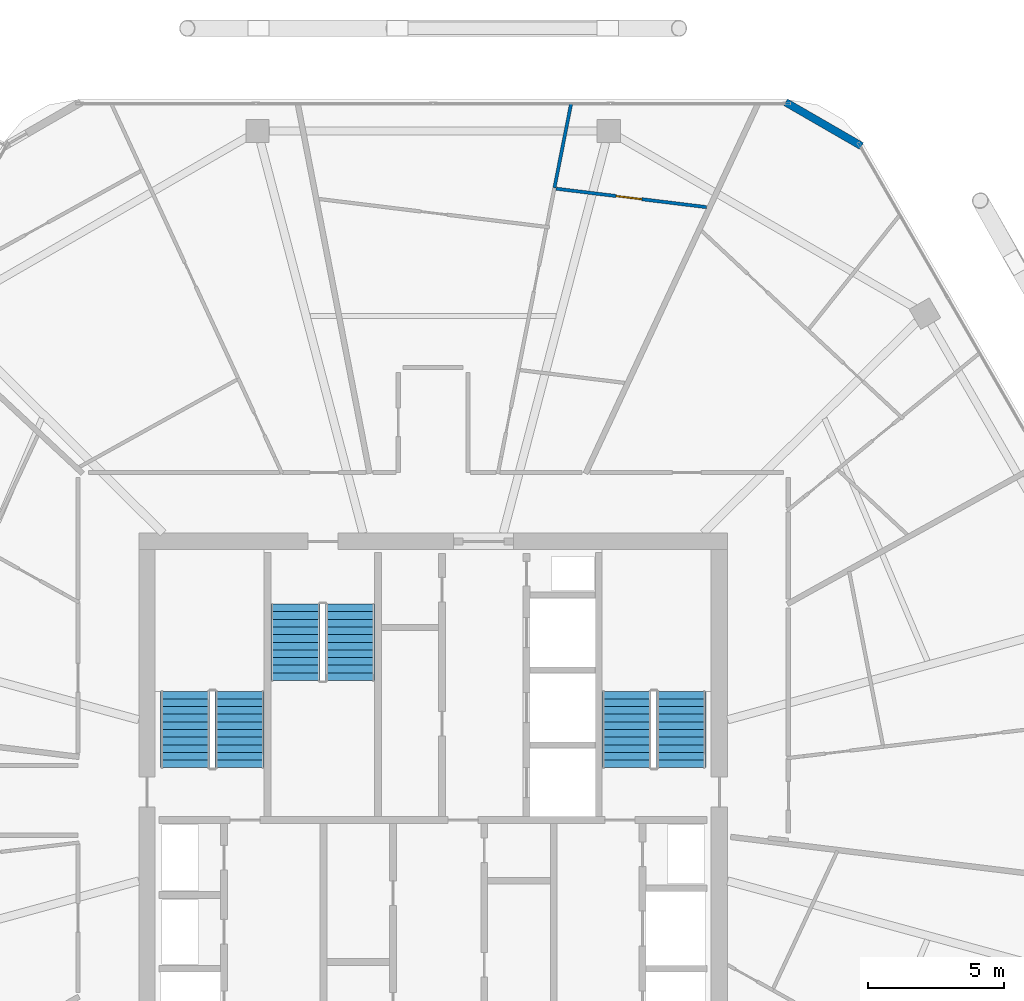
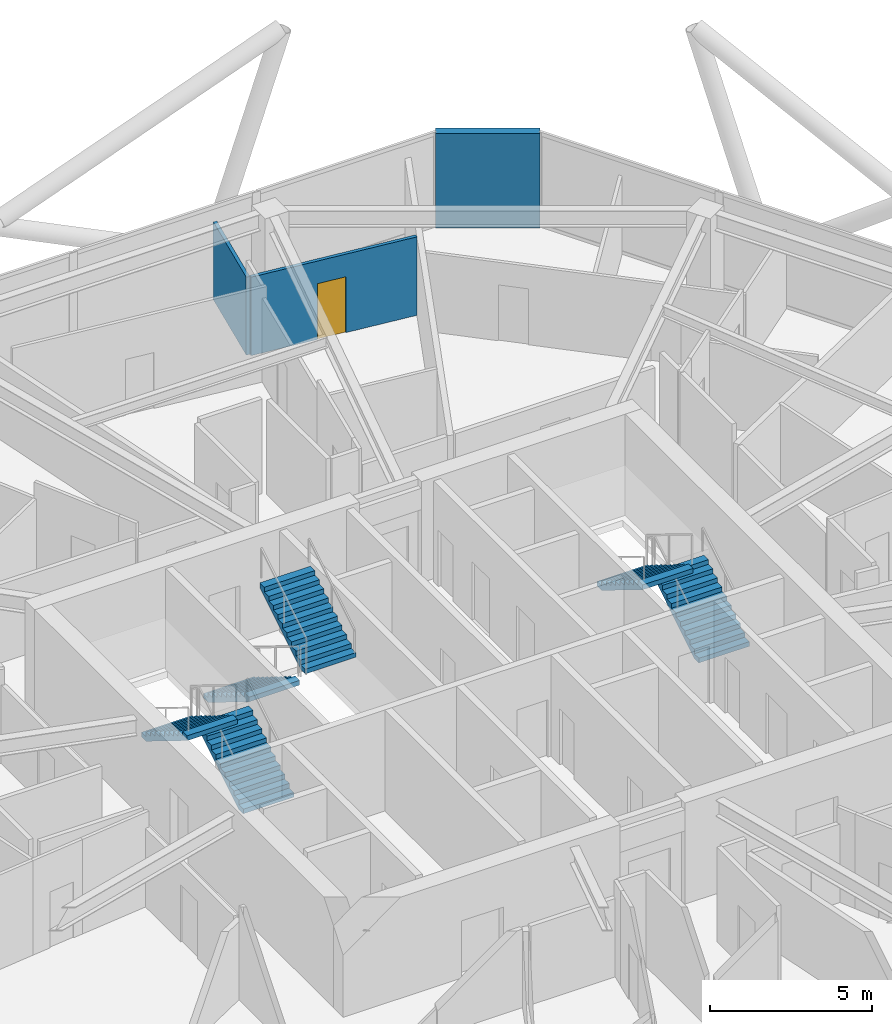
# One storey, part 25 of 29: 6 stair flights, 3 walls, 1 door, 1 opening, 3 elements without a shape of their own.
"""IFC4 building model written with IfcOpenShell, lengths in metres."""

from ifc_helpers import new_model, si_unit, direction, frame, frame_2d, origin, place, context, subcontext, project, spatial, polyline, rectangle, outline, extrude, material, layer, layer_set, type_object, element, fill, aggregate, save


model = new_model("IFC4")

# Units and contexts
model_context = context("Model", 3, precision=1e-05, world=origin(), true_north=direction((0.0, 1.0)))
body_context = subcontext(model_context, "Body", "Model", "MODEL_VIEW")
ifc_project = project(units=[si_unit("LENGTHUNIT", "METRE"), si_unit("AREAUNIT", "SQUARE_METRE"), si_unit("VOLUMEUNIT", "CUBIC_METRE"), si_unit("PLANEANGLEUNIT", "RADIAN"), si_unit("MASSUNIT", "GRAM", prefix="KILO")], contexts=[model_context])

# Site, building, storey
site_placement = place(None, origin())
site = spatial("IfcSite", under=ifc_project, at=site_placement, CompositionType="ELEMENT")
building_placement = place(site_placement, origin())
building = spatial("IfcBuilding", under=site, at=building_placement, Name="Zuhravey Tower", CompositionType="ELEMENT")
storey_placement = place(building_placement, frame((0.0, 0.0, 269.199951171875)))
storey = spatial("IfcBuildingStorey", under=building, at=storey_placement, Name="L68", CompositionType="ELEMENT", Elevation=269.199951171875)

# Wall
ifc_material_1 = material(Name="Precast concrete C40/50", Category="concrete")
ifc_layer_1 = layer(ifc_material_1, 0.280029296875)
ifc_layer_set_1 = layer_set([ifc_layer_1], Name="Precast concrete C40/50")
wall_type_1 = type_object("IfcWallType", Name="Crown Architectural Wall 280", PredefinedType="SOLIDWALL", material=ifc_layer_set_1)
wall_1_placement = place(storey_placement, frame((48.930419921875, 57.611083984375, 0.0), z_axis=(0.0, 0.0, 1.0), x_axis=(0.866028773314, -0.499994163758, 0.0)))
element("IfcWall", 1, at=wall_1_placement, inside=storey, type_object=wall_type_1, Name="L68 Rounded Corner Closure Wall EW28-10", PredefinedType="SOLIDWALL", context=body_context, shape_type="SweptSolid", body=[
    extrude(rectangle(XDim=3.21484375, YDim=0.280029296875, at=frame_2d((1.607421875, 0.0))), origin(), (0.0, 0.0, 1.0), 3.550048828125),
])

# Wall, opening, door
ifc_material_2 = material(Name="Gypsum metal-stud partition")
ifc_layer_2 = layer(ifc_material_2, 0.1201171875)
ifc_layer_set_2 = layer_set([ifc_layer_2], Name="Gypsum metal-stud partition")
wall_type_2 = type_object("IfcWallType", Name="Unit Internal Partition 120", PredefinedType="PARTITIONING", material=ifc_layer_set_2)
wall_2_placement = place(storey_placement, frame((46.027587890625, 53.76220703125, 0.0), z_axis=(0.0, 0.0, 1.0), x_axis=(-0.992544574318, 0.121882188984, 0.0)))
wall_2 = element("IfcWall", 2, at=wall_2_placement, inside=storey, type_object=wall_type_2, Name="L68 IW12 Partition 064", PredefinedType="PARTITIONING", context=body_context, shape_type="SweptSolid", body=[
    extrude(rectangle(XDim=5.556640625, YDim=0.1201171875, at=frame_2d((2.7783203125, 0.0))), origin(), (0.0, 0.0, 1.0), 2.949951171875),
])
opening_placement = place(wall_2_placement, frame((2.387451171875, 0.0, 0.0)))
opening = element("IfcOpeningElement", 3, at=opening_placement, cuts=wall_2, Name="Opening IND1", PredefinedType="OPENING", context=body_context, shape_type="SweptSolid", body=[
    extrude(rectangle(XDim=0.949951171875, YDim=2.10009765625, at=frame_2d((0.47509765625, 1.050048828125))), frame((0.0, 0.072021484375, 0.0), z_axis=(0.0, -1.0, 0.0), x_axis=(1.0, 0.0, 0.0)), (0.0, 0.0, 1.0), 0.14404296875),
])
ifc_material_3 = material(Name="Painted engineered timber leaf", Category="wood")
door_type = type_object("IfcDoorType", Name="Internal Room & Bedroom Door 950x2100", OperationType="NOTDEFINED", PredefinedType="DOOR", material=ifc_material_3)
door_placement = place(opening_placement, frame((0.949951171875, 0.0, 0.0), z_axis=(0.0, 0.0, 1.0), x_axis=(-1.0, 0.0, 0.0)))
door = element("IfcDoor", 4, at=door_placement, inside=storey, type_object=door_type, Name="Apartment L68-09 Bedroom 1 Door", OperationType="SINGLE_SWING_RIGHT", OverallHeight=2.10009765625, OverallWidth=0.949951171875, PredefinedType="DOOR", context=body_context, shape_type="SweptSolid", body=[
    extrude(rectangle(XDim=0.949951171875, YDim=2.10009765625, at=frame_2d((0.47509765625, 1.050048828125))), frame((0.0, 0.02490234375, 0.0), z_axis=(0.0, -1.0, 0.0), x_axis=(1.0, 0.0, 0.0)), (0.0, 0.0, 1.0), 0.050048828125),
])
fill(opening, door)

# Wall
wall_3_placement = place(storey_placement, frame((40.44970703125, 54.472412109375, 0.0), z_axis=(0.0, 0.0, 1.0), x_axis=(0.194226638518, 0.980956682474, 0.0)))
element("IfcWall", 5, at=wall_3_placement, inside=storey, type_object=wall_type_2, Name="L68 IW12 Partition 107", PredefinedType="PARTITIONING", context=body_context, shape_type="SweptSolid", body=[
    extrude(rectangle(XDim=3.15625, YDim=0.1201171875, at=frame_2d((1.578125, 0.0))), origin(), (0.0, 0.0, 1.0), 2.929931640625),
])

# Stair, stair flights
ifc_material_4 = material(Name="Concrete C40/50", Category="concrete")
stair_type = type_object("IfcStairType", Name="Housing Storey Stair Assembly 3800", PredefinedType="HALF_TURN_STAIR", material=ifc_material_4)
stair_1_placement = place(storey_placement, origin())
stair_1 = element("IfcStair", 6, at=stair_1_placement, inside=storey, type_object=stair_type, Name="L68 Core Exit Stair ST1", PredefinedType="HALF_TURN_STAIR")
stair_flight_type = type_object("IfcStairFlightType", Name="Housing Storey Stair Flight 3800", PredefinedType="STRAIGHT", material=ifc_material_4)
stair_flight_1_placement = place(storey_placement, frame((28.89990234375, 33.199951171875, 0.0), z_axis=(0.0, 0.0, 1.0), x_axis=(0.0, 1.0, 0.0)))
stair_flight_1 = element("IfcStairFlight", 7, at=stair_flight_1_placement, type_object=stair_flight_type, Name="ST1 flight 1", NumberOfRisers=11, NumberOfTreads=10, PredefinedType="STRAIGHT", RiserHeight=0.172727273, TreadLength=0.28, context=body_context, shape_type="SweptSolid", body=[
    extrude(outline(polyline([(0.0, 0.0), (0.0, 0.172607421875), (0.280029296875, 0.172607421875), (0.280029296875, 0.345458984375), (0.56005859375, 0.345458984375), (0.56005859375, 0.51806640625), (0.840087890625, 0.51806640625), (0.840087890625, 0.69091796875), (1.1201171875, 0.69091796875), (1.1201171875, 0.863525390625), (1.39990234375, 0.863525390625), (1.39990234375, 1.036376953125), (1.679931640625, 1.036376953125), (1.679931640625, 1.208984375), (1.9599609375, 1.208984375), (1.9599609375, 1.3818359375), (2.239990234375, 1.3818359375), (2.239990234375, 1.554443359375), (2.52001953125, 1.554443359375), (2.52001953125, 1.727294921875), (2.800048828125, 1.727294921875), (2.800048828125, 1.89990234375), (2.800048828125, 1.551025390625), (0.285400390625, 0.0), (0.0, 0.0)])), frame((0.0, 0.89990234375, 0.0), z_axis=(0.0, -1.0, 0.0), x_axis=(1.0, 0.0, 0.0)), (0.0, 0.0, 1.0), 1.800048828125),
])
stair_flight_2_placement = place(storey_placement, frame((26.89990234375, 36.0, 1.900146484375), z_axis=(0.0, 0.0, 1.0), x_axis=(0.0, -1.0, 0.0)))
stair_flight_2 = element("IfcStairFlight", 8, at=stair_flight_2_placement, type_object=stair_flight_type, Name="ST1 flight 2", NumberOfRisers=11, NumberOfTreads=10, PredefinedType="STRAIGHT", RiserHeight=0.172727273, TreadLength=0.28, context=body_context, shape_type="SweptSolid", body=[
    extrude(outline(polyline([(0.0, 0.0), (0.0, 0.172607421875), (0.280029296875, 0.172607421875), (0.280029296875, 0.345458984375), (0.56005859375, 0.345458984375), (0.56005859375, 0.51806640625), (0.840087890625, 0.51806640625), (0.840087890625, 0.69091796875), (1.1201171875, 0.69091796875), (1.1201171875, 0.863525390625), (1.39990234375, 0.863525390625), (1.39990234375, 1.036376953125), (1.679931640625, 1.036376953125), (1.679931640625, 1.208984375), (1.9599609375, 1.208984375), (1.9599609375, 1.3818359375), (2.239990234375, 1.3818359375), (2.239990234375, 1.554443359375), (2.52001953125, 1.554443359375), (2.52001953125, 1.727294921875), (2.800048828125, 1.727294921875), (2.800048828125, 1.89990234375), (2.800048828125, 1.551025390625), (0.285400390625, 0.0), (0.0, 0.0)])), frame((0.0, 0.89990234375, 0.0), z_axis=(0.0, -1.0, 0.0), x_axis=(1.0, 0.0, 0.0)), (0.0, 0.0, 1.0), 1.800048828125),
])
aggregate(stair_1, [stair_flight_1, stair_flight_2])

stair_2_placement = place(storey_placement, origin())
stair_2 = element("IfcStair", 9, at=stair_2_placement, inside=storey, type_object=stair_type, Name="L68 Core Exit Stair ST2", PredefinedType="HALF_TURN_STAIR")
stair_flight_3_placement = place(storey_placement, frame((45.10009765625, 33.199951171875, 0.0), z_axis=(0.0, 0.0, 1.0), x_axis=(0.0, 1.0, 0.0)))
stair_flight_3 = element("IfcStairFlight", 10, at=stair_flight_3_placement, type_object=stair_flight_type, Name="ST2 flight 1", NumberOfRisers=11, NumberOfTreads=10, PredefinedType="STRAIGHT", RiserHeight=0.172727273, TreadLength=0.28, context=body_context, shape_type="SweptSolid", body=[
    extrude(outline(polyline([(0.0, 0.0), (0.0, 0.172607421875), (0.280029296875, 0.172607421875), (0.280029296875, 0.345458984375), (0.56005859375, 0.345458984375), (0.56005859375, 0.51806640625), (0.840087890625, 0.51806640625), (0.840087890625, 0.69091796875), (1.1201171875, 0.69091796875), (1.1201171875, 0.863525390625), (1.39990234375, 0.863525390625), (1.39990234375, 1.036376953125), (1.679931640625, 1.036376953125), (1.679931640625, 1.208984375), (1.9599609375, 1.208984375), (1.9599609375, 1.3818359375), (2.239990234375, 1.3818359375), (2.239990234375, 1.554443359375), (2.52001953125, 1.554443359375), (2.52001953125, 1.727294921875), (2.800048828125, 1.727294921875), (2.800048828125, 1.89990234375), (2.800048828125, 1.551025390625), (0.285400390625, 0.0), (0.0, 0.0)])), frame((0.0, 0.89990234375, 0.0), z_axis=(0.0, -1.0, 0.0), x_axis=(1.0, 0.0, 0.0)), (0.0, 0.0, 1.0), 1.800048828125),
])
stair_flight_4_placement = place(storey_placement, frame((43.10009765625, 36.0, 1.900146484375), z_axis=(0.0, 0.0, 1.0), x_axis=(0.0, -1.0, 0.0)))
stair_flight_4 = element("IfcStairFlight", 11, at=stair_flight_4_placement, type_object=stair_flight_type, Name="ST2 flight 2", NumberOfRisers=11, NumberOfTreads=10, PredefinedType="STRAIGHT", RiserHeight=0.172727273, TreadLength=0.28, context=body_context, shape_type="SweptSolid", body=[
    extrude(outline(polyline([(0.0, 0.0), (0.0, 0.172607421875), (0.280029296875, 0.172607421875), (0.280029296875, 0.345458984375), (0.56005859375, 0.345458984375), (0.56005859375, 0.51806640625), (0.840087890625, 0.51806640625), (0.840087890625, 0.69091796875), (1.1201171875, 0.69091796875), (1.1201171875, 0.863525390625), (1.39990234375, 0.863525390625), (1.39990234375, 1.036376953125), (1.679931640625, 1.036376953125), (1.679931640625, 1.208984375), (1.9599609375, 1.208984375), (1.9599609375, 1.3818359375), (2.239990234375, 1.3818359375), (2.239990234375, 1.554443359375), (2.52001953125, 1.554443359375), (2.52001953125, 1.727294921875), (2.800048828125, 1.727294921875), (2.800048828125, 1.89990234375), (2.800048828125, 1.551025390625), (0.285400390625, 0.0), (0.0, 0.0)])), frame((0.0, 0.89990234375, 0.0), z_axis=(0.0, -1.0, 0.0), x_axis=(1.0, 0.0, 0.0)), (0.0, 0.0, 1.0), 1.800048828125),
])
aggregate(stair_2, [stair_flight_3, stair_flight_4])

stair_3_placement = place(storey_placement, origin())
stair_3 = element("IfcStair", 12, at=stair_3_placement, inside=storey, type_object=stair_type, Name="L68 Core Exit Stair ST3", PredefinedType="HALF_TURN_STAIR")
stair_flight_5_placement = place(storey_placement, frame((30.949951171875, 39.199951171875, 0.0), z_axis=(0.0, 0.0, 1.0), x_axis=(0.0, -1.0, 0.0)))
stair_flight_5 = element("IfcStairFlight", 13, at=stair_flight_5_placement, type_object=stair_flight_type, Name="ST3 flight 1", NumberOfRisers=11, NumberOfTreads=10, PredefinedType="STRAIGHT", RiserHeight=0.172727273, TreadLength=0.28, context=body_context, shape_type="SweptSolid", body=[
    extrude(outline(polyline([(0.0, 0.0), (0.0, 0.172607421875), (0.280029296875, 0.172607421875), (0.280029296875, 0.345458984375), (0.56005859375, 0.345458984375), (0.56005859375, 0.51806640625), (0.840087890625, 0.51806640625), (0.840087890625, 0.69091796875), (1.1201171875, 0.69091796875), (1.1201171875, 0.863525390625), (1.39990234375, 0.863525390625), (1.39990234375, 1.036376953125), (1.679931640625, 1.036376953125), (1.679931640625, 1.208984375), (1.9599609375, 1.208984375), (1.9599609375, 1.3818359375), (2.239990234375, 1.3818359375), (2.239990234375, 1.554443359375), (2.52001953125, 1.554443359375), (2.52001953125, 1.727294921875), (2.800048828125, 1.727294921875), (2.800048828125, 1.89990234375), (2.800048828125, 1.551025390625), (0.285400390625, 0.0), (0.0, 0.0)])), frame((0.0, 0.89990234375, 0.0), z_axis=(0.0, -1.0, 0.0), x_axis=(1.0, 0.0, 0.0)), (0.0, 0.0, 1.0), 1.800048828125),
])
stair_flight_6_placement = place(storey_placement, frame((32.949951171875, 36.39990234375, 1.900146484375), z_axis=(0.0, 0.0, 1.0), x_axis=(0.0, 1.0, 0.0)))
stair_flight_6 = element("IfcStairFlight", 14, at=stair_flight_6_placement, type_object=stair_flight_type, Name="ST3 flight 2", NumberOfRisers=11, NumberOfTreads=10, PredefinedType="STRAIGHT", RiserHeight=0.172727273, TreadLength=0.28, context=body_context, shape_type="SweptSolid", body=[
    extrude(outline(polyline([(0.0, 0.0), (0.0, 0.172607421875), (0.280029296875, 0.172607421875), (0.280029296875, 0.345458984375), (0.56005859375, 0.345458984375), (0.56005859375, 0.51806640625), (0.840087890625, 0.51806640625), (0.840087890625, 0.69091796875), (1.1201171875, 0.69091796875), (1.1201171875, 0.863525390625), (1.39990234375, 0.863525390625), (1.39990234375, 1.036376953125), (1.679931640625, 1.036376953125), (1.679931640625, 1.208984375), (1.9599609375, 1.208984375), (1.9599609375, 1.3818359375), (2.239990234375, 1.3818359375), (2.239990234375, 1.554443359375), (2.52001953125, 1.554443359375), (2.52001953125, 1.727294921875), (2.800048828125, 1.727294921875), (2.800048828125, 1.89990234375), (2.800048828125, 1.551025390625), (0.285400390625, 0.0), (0.0, 0.0)])), frame((0.0, 0.89990234375, 0.0), z_axis=(0.0, -1.0, 0.0), x_axis=(1.0, 0.0, 0.0)), (0.0, 0.0, 1.0), 1.800048828125),
])
aggregate(stair_3, [stair_flight_5, stair_flight_6])

save(model, "model.ifc")
